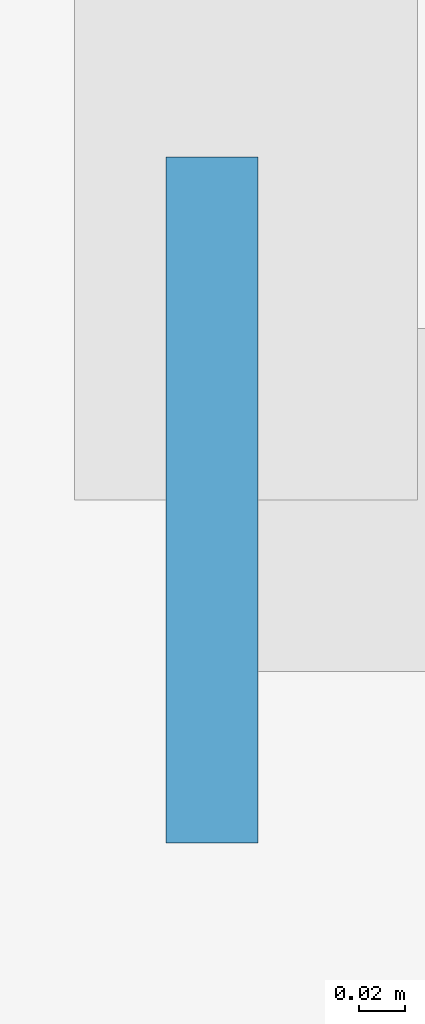
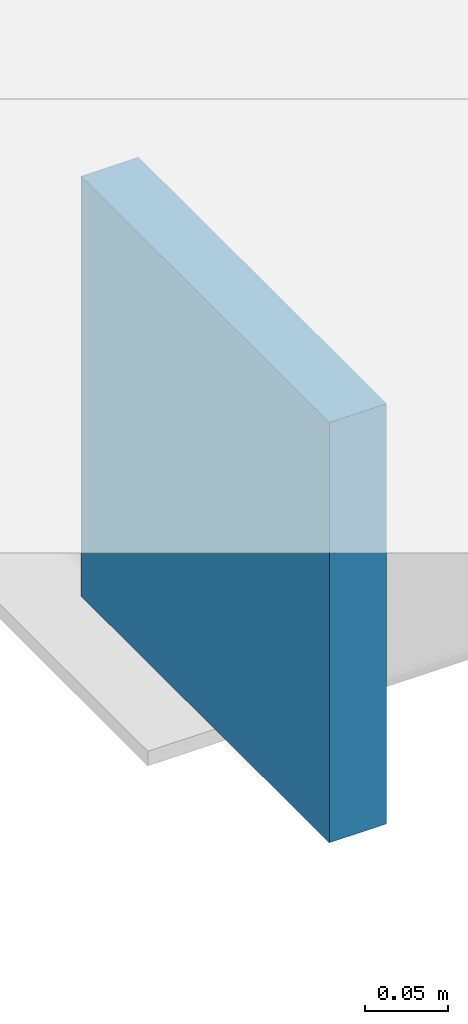
# One storey, part 14 of 22: 1 plate.
"""IFC4 building model written with IfcOpenShell, lengths in metres."""

import ifcopenshell
import ifcopenshell.guid

model = None  # the IFC model being written
_history = None  # IfcOwnerHistory: only IFC2X3 demands one
_inside = {}  # id of a spatial element -> (the spatial element, [elements in it])
_under = {}  # id of a project, library or spatial element -> (it, [spatial elements below it])
_declared = {}  # id of a project -> (the project, [libraries it declares])
_typed = {}  # id of a type object -> (the type object, [elements of that type])
_made_of = {}  # id of a material, layer set ... -> (it, [elements and type objects made of it])


def new_model(schema):
    """Start an empty IFC model of exactly this schema.

    Asked for "IFC4X3", IfcOpenShell would pick the latest addendum, in which some entities
    have other attributes; the version numbers below select the first issue.
    IFC2X3 requires an IfcOwnerHistory on every rooted entity: one is made here for all.
    """
    global model, _history
    if schema == "IFC4X3":
        model = ifcopenshell.file(schema_version=(4, 3, 0, 0))
    else:
        model = ifcopenshell.file(schema=schema)
    _inside.clear()
    _under.clear()
    _declared.clear()
    _typed.clear()
    _made_of.clear()
    _history = None
    if model.schema == "IFC2X3":
        org = make("IfcOrganization", Name="unknown")
        user = make(
            "IfcPersonAndOrganization",
            ThePerson=make("IfcPerson", FamilyName="unknown"),
            TheOrganization=org,
        )
        app = make(
            "IfcApplication",
            ApplicationDeveloper=org,
            Version="unknown",
            ApplicationFullName="unknown",
            ApplicationIdentifier="unknown",
        )
        _history = make(
            "IfcOwnerHistory",
            OwningUser=user,
            OwningApplication=app,
            ChangeAction="ADDED",
            CreationDate=0,
        )
    return model


def make(cls, **values):
    """One entity of the class cls with the attributes given. An attribute that is None is left unset."""
    return model.create_entity(
        cls, **{name: value for name, value in values.items() if value is not None}
    )


def rooted(cls, **values):
    """An entity with a GlobalId (a new one), such as an element, a storey or a relation."""
    return make(cls, GlobalId=ifcopenshell.guid.new(), OwnerHistory=_history, **values)


def si_unit(unit_type, name, prefix=None):
    """IfcSIUnit, for example si_unit("LENGTHUNIT", "METRE", prefix="MILLI")."""
    return make("IfcSIUnit", UnitType=unit_type, Prefix=prefix, Name=name)


def assignment(units):
    """IfcUnitAssignment: the units of a project."""
    return None if units is None else make("IfcUnitAssignment", Units=units)


def point(xyz):
    """IfcCartesianPoint."""
    return None if xyz is None else make("IfcCartesianPoint", Coordinates=xyz)


def direction(xyz):
    """IfcDirection."""
    return None if xyz is None else make("IfcDirection", DirectionRatios=xyz)


def frame(location, z_axis=None, x_axis=None):
    """IfcAxis2Placement3D, a coordinate frame: its origin and axes. An axis left out is left unset."""
    return make(
        "IfcAxis2Placement3D",
        Location=point(location),
        Axis=direction(z_axis),
        RefDirection=direction(x_axis),
    )


def frame_2d(location, x_axis=None):
    """IfcAxis2Placement2D, a coordinate frame in the plane: its origin and x axis."""
    return make(
        "IfcAxis2Placement2D", Location=point(location), RefDirection=direction(x_axis)
    )


def origin():
    """The frame at (0, 0, 0) with its axes left unset."""
    return frame((0.0, 0.0, 0.0))


def origin_2d():
    """The frame at (0, 0) in the plane with its x axis left unset."""
    return frame_2d((0.0, 0.0))


def place(relative_to, where):
    """IfcLocalPlacement: puts the frame where relative to a parent placement (None: the world)."""
    return make(
        "IfcLocalPlacement", PlacementRelTo=relative_to, RelativePlacement=where
    )


def context(
    kind, dimensions, precision=None, world=None, true_north=None, identifier=None
):
    """IfcGeometricRepresentationContext, for example the 3D "Model" context."""
    return make(
        "IfcGeometricRepresentationContext",
        ContextIdentifier=identifier,
        ContextType=kind,
        CoordinateSpaceDimension=dimensions,
        Precision=precision,
        WorldCoordinateSystem=world,
        TrueNorth=true_north,
    )


def subcontext(parent, identifier, kind, view, scale=None):
    """IfcGeometricRepresentationSubContext, for example "Body" below "Model"."""
    return make(
        "IfcGeometricRepresentationSubContext",
        ContextIdentifier=identifier,
        ContextType=kind,
        ParentContext=parent,
        TargetScale=scale,
        TargetView=view,
    )


def project(units=None, contexts=None):
    """IfcProject with its units and contexts."""
    return rooted(
        "IfcProject",
        Name="project",
        RepresentationContexts=contexts,
        UnitsInContext=assignment(units),
    )


def spatial(cls, under=None, at=None, **own):
    """A site, building, storey or space (cls), placed at a placement, below another one or the project."""
    s = rooted(cls, ObjectPlacement=at, **own)
    if under is not None:
        _under.setdefault(under.id(), (under, []))[1].append(s)
    return s


def profile(cls, at=None, kind="AREA", **sizes):
    """A parametric profile (cls). Its sizes go by their IFC names, for example OverallWidth=200.0."""
    return make(cls, ProfileType=kind, Position=at, **sizes)


def rectangle(**sizes):
    """IfcRectangleProfileDef."""
    return profile("IfcRectangleProfileDef", **sizes)


def extrude(swept, where, along, depth):
    """IfcExtrudedAreaSolid: the profile swept, set in the frame where, extruded along a direction by depth."""
    return make(
        "IfcExtrudedAreaSolid",
        SweptArea=swept,
        Position=where,
        ExtrudedDirection=direction(along),
        Depth=depth,
    )


def shape(context_of_items, identifier, shape_type, items):
    """IfcShapeRepresentation: the items that make up one representation, for example the "Body"."""
    return make(
        "IfcShapeRepresentation",
        ContextOfItems=context_of_items,
        RepresentationIdentifier=identifier,
        RepresentationType=shape_type,
        Items=items,
    )


def material(Name=None, Category=None):
    """IfcMaterial."""
    return make("IfcMaterial", Name=Name, Category=Category)


def layer(
    of_material, thickness, ventilated=None, Name=None, Category=None, Priority=None
):
    """IfcMaterialLayer: one layer of a wall or slab, of a material (None: an air gap)."""
    return make(
        "IfcMaterialLayer",
        Material=of_material,
        LayerThickness=thickness,
        IsVentilated=ventilated,
        Name=Name,
        Category=Category,
        Priority=Priority,
    )


def layer_set(layers, Name=None):
    """IfcMaterialLayerSet."""
    return make("IfcMaterialLayerSet", MaterialLayers=layers, LayerSetName=Name)


def made_of(thing, what):
    """Note that an element or type object is made of a material, layer set ...; save() writes the relation."""
    if what is not None:
        _made_of.setdefault(what.id(), (what, []))[1].append(thing)
    return thing


def type_object(cls, material=None, **own):
    """A type object (cls), such as IfcWallType, which elements share."""
    return made_of(rooted(cls, **own), material)


def element(
    cls,
    number,
    at=None,
    inside=None,
    cuts=None,
    type_object=None,
    material=None,
    context=None,
    identifier="Body",
    shape_type=None,
    held_by="IfcProductDefinitionShape",
    body=None,
    shapes=None,
    **own,
):
    """One element of the class cls, such as IfcWall. Its Tag is "e" and its number.

    at: its placement. inside: the storey or other place that contains it. cuts: it is an
    opening in that element (IfcRelVoidsElement). A single representation is given by context,
    identifier, shape_type and body (its items); several are given by shapes. held_by: the class
    of the entity that holds the representations. save() writes the other relations.
    """
    e = rooted(cls, Tag="e%d" % number, ObjectPlacement=at, **own)
    if body is not None:
        shapes = [shape(context, identifier, shape_type, body)]
    if shapes is not None:
        e.Representation = make(held_by, Representations=shapes)
    if inside is not None:
        _inside.setdefault(inside.id(), (inside, []))[1].append(e)
    if cuts is not None:
        rooted(
            "IfcRelVoidsElement", RelatingBuildingElement=cuts, RelatedOpeningElement=e
        )
    if type_object is not None:
        _typed.setdefault(type_object.id(), (type_object, []))[1].append(e)
    return made_of(e, material)


def aggregate(whole, parts):
    """IfcRelAggregates: a whole, such as a stair, and the parts it consists of."""
    return rooted("IfcRelAggregates", RelatingObject=whole, RelatedObjects=parts)


def save(model, path):
    """Write the relations noted so far, then the file.

    IfcRelAggregates (storeys below a building ...), IfcRelContainedInSpatialStructure (elements
    in a storey), IfcRelDefinesByType, IfcRelAssociatesMaterial and IfcRelDeclares: one each for
    every whole, place, type object, material and project.
    """
    for whole, parts in _under.values():
        aggregate(whole, parts)
    for where, things in _inside.values():
        rooted(
            "IfcRelContainedInSpatialStructure",
            RelatedElements=things,
            RelatingStructure=where,
        )
    for kind, things in _typed.values():
        rooted("IfcRelDefinesByType", RelatedObjects=things, RelatingType=kind)
    for what, things in _made_of.values():
        rooted("IfcRelAssociatesMaterial", RelatedObjects=things, RelatingMaterial=what)
    for by, libraries in _declared.values():
        rooted("IfcRelDeclares", RelatingContext=by, RelatedDefinitions=libraries)
    model.write(path)


model = new_model("IFC4")

# Units and contexts
model_context = context("Model", 3, precision=1e-05, world=origin(), true_north=direction((0.0, 1.0)))
body_context = subcontext(model_context, "Body", "Model", "MODEL_VIEW")
ifc_project = project(units=[si_unit("LENGTHUNIT", "METRE"), si_unit("AREAUNIT", "SQUARE_METRE"), si_unit("VOLUMEUNIT", "CUBIC_METRE"), si_unit("PLANEANGLEUNIT", "RADIAN"), si_unit("MASSUNIT", "GRAM", prefix="KILO"), si_unit("THERMODYNAMICTEMPERATUREUNIT", "KELVIN"), si_unit("POWERUNIT", "WATT")], contexts=[model_context])

# Site, building, storey
site_placement = place(None, origin())
site = spatial("IfcSite", under=ifc_project, at=site_placement, CompositionType="ELEMENT")
building_placement = place(site_placement, origin())
building = spatial("IfcBuilding", under=site, at=building_placement, Name="Svarakhadi Broadcast Tower", CompositionType="ELEMENT")
storey_placement = place(building_placement, frame((0.0, 0.0, 199.199951171875)))
storey = spatial("IfcBuildingStorey", under=building, at=storey_placement, Name="L49", CompositionType="ELEMENT", Elevation=199.199951171875)

# Plate
ifc_material = material(Name="Steel S460ML (IS 2062 E450BR)", Category="steel")
ifc_layer = layer(ifc_material, 0.028076171875)
ifc_layer_set = layer_set([ifc_layer], Name="Steel S460ML (IS 2062 E450BR)")
plate_type = type_object("IfcPlateType", Name="Cap_Plate_CP02", PredefinedType="USERDEFINED", material=ifc_layer_set)
plate_placement = place(storey_placement, frame((29.985107421875, -1.800048828125, -0.554931640625), z_axis=(0.0, 0.0, 1.0), x_axis=(1.0, 0.0, 0.0)))
element("IfcPlate", 1, at=plate_placement, inside=storey, type_object=plate_type, Name="L49 Balcony Spandrel End Cap Plate 1F-A", ObjectType="FLANGE_PLATE", PredefinedType="USERDEFINED", context=body_context, shape_type="SweptSolid", body=[
    extrude(rectangle(XDim=0.0400390625, YDim=0.300048828125, at=origin_2d()), origin(), (0.0, 0.0, 1.0), 0.31005859375),
])

save(model, "model.ifc")
